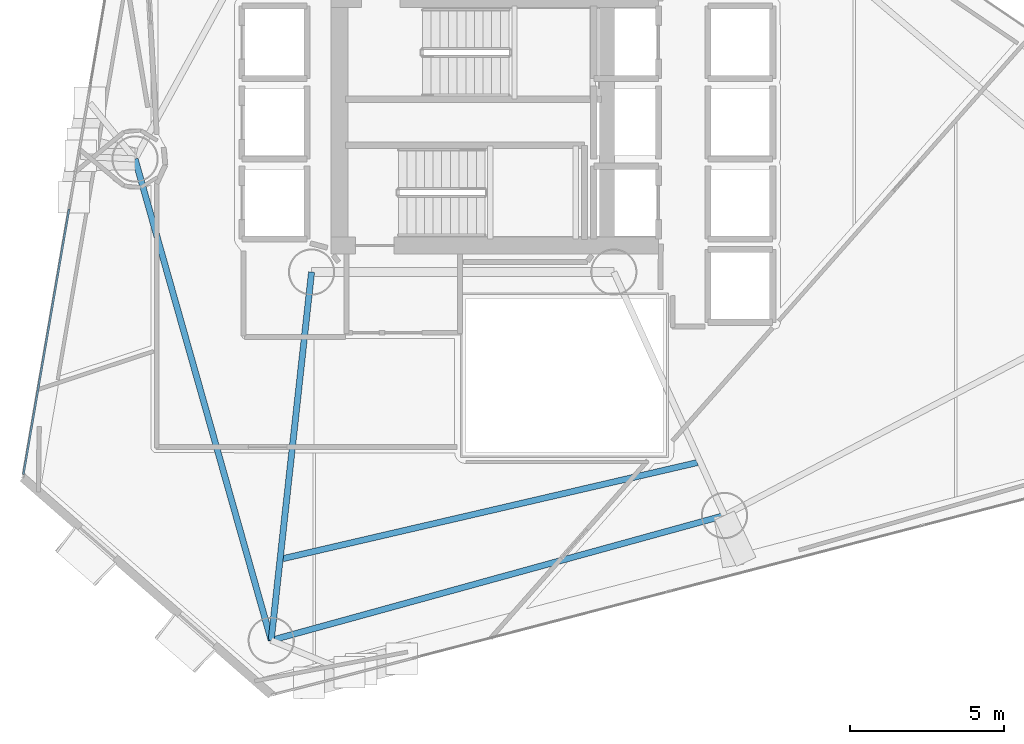
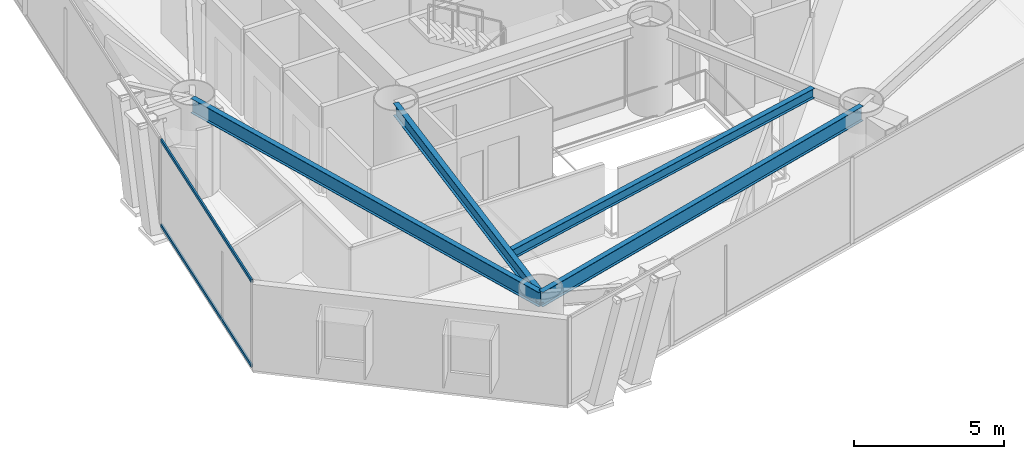
# One storey, part 3 of 21: 4 beams, 2 members, 1 element without a shape of its own.
"""IFC4 building model written with IfcOpenShell, lengths in metres."""

from ifc_helpers import new_model, si_unit, direction, frame, origin, origin_2d, place, context, subcontext, project, spatial, hollow_rectangle, i_section, extrude, material, layer, layer_set, material_profile, profile_set, type_object, element, aggregate, save


model = new_model("IFC4")

# Units and contexts
model_context = context("Model", 3, precision=1e-05, world=origin(), true_north=direction((0.0, 1.0)))
body_context = subcontext(model_context, "Body", "Model", "MODEL_VIEW")
ifc_project = project(units=[si_unit("LENGTHUNIT", "METRE"), si_unit("AREAUNIT", "SQUARE_METRE"), si_unit("VOLUMEUNIT", "CUBIC_METRE"), si_unit("PLANEANGLEUNIT", "RADIAN"), si_unit("MASSUNIT", "GRAM", prefix="KILO")], contexts=[model_context])

# Site, building, storey
site_placement = place(None, origin())
site = spatial("IfcSite", under=ifc_project, at=site_placement, CompositionType="ELEMENT")
building_placement = place(site_placement, origin())
building = spatial("IfcBuilding", under=site, at=building_placement, Name="Qianvela Tower", CompositionType="ELEMENT")
storey_placement = place(building_placement, frame((0.0, 0.0, 112.60009765625)))
storey = spatial("IfcBuildingStorey", under=building, at=storey_placement, Name="L28", CompositionType="ELEMENT", Elevation=112.60009765625)

# Beams
ifc_material_1 = material(Name="Steel Q355B", Category="steel")
ifc_material_profile_1 = material_profile(ifc_material_1, i_section(OverallWidth=0.199951171875, OverallDepth=0.39990234375, WebThickness=0.008056640625, FlangeThickness=0.012939453125, at=origin_2d()), Name="HN400x200x8x13")
ifc_profile_set_1 = profile_set([ifc_material_profile_1], Name="Steel Q355B")
beam_type_1 = type_object("IfcBeamType", Name="BM-HN400-JOIST", PredefinedType="JOIST", material=ifc_profile_set_1)
beam_1_placement = place(storey_placement, frame((27.67333984375, 14.5576171875, 3.31787109375), z_axis=(0.974157898668, 0.225868077567, 0.0), x_axis=(-0.225868077567, 0.974157898668, 0.0)))
element("IfcBeam", 1, at=beam_1_placement, inside=storey, type_object=beam_type_1, Name="L28 Secondary Composite Floor Joist 5.3", PredefinedType="JOIST", context=body_context, shape_type="SweptSolid", body=[
    extrude(i_section(OverallWidth=0.199951171875, OverallDepth=0.39990234375, WebThickness=0.008056640625, FlangeThickness=0.012939453125, at=origin_2d()), origin(), (0.0, 0.0, 1.0), 13.787841796875),
])
ifc_material_2 = material(Name="Steel Q355B", Category="steel")
ifc_material_profile_2 = material_profile(ifc_material_2, i_section(OverallWidth=0.199951171875, OverallDepth=0.5, WebThickness=0.010009765625, FlangeThickness=0.01611328125, at=origin_2d()), Name="HN500x200x10x16")
ifc_profile_set_2 = profile_set([ifc_material_profile_2], Name="Steel Q355B")
beam_type_2 = type_object("IfcBeamType", Name="BM-HN500-GIRD", PredefinedType="BEAM", material=ifc_profile_set_2)
beam_2_placement = place(storey_placement, frame((28.60009765625, 23.85009765625, 3.267822265625), z_axis=(-0.108894474914, -0.994053315136, 0.0), x_axis=(0.994053315136, -0.108894474914, 0.0)))
element("IfcBeam", 2, at=beam_2_placement, inside=storey, type_object=beam_type_2, Name="L28 Radial Primary Floor Girder 5", PredefinedType="BEAM", context=body_context, shape_type="SweptSolid", body=[
    extrude(i_section(OverallWidth=0.199951171875, OverallDepth=0.5, WebThickness=0.010009765625, FlangeThickness=0.01611328125, at=origin_2d()), origin(), (0.0, 0.0, 1.0), 12.0126953125),
])
ifc_material_3 = material(Name="Steel Q355B", Category="steel")
ifc_material_profile_3 = material_profile(ifc_material_3, i_section(OverallWidth=0.199951171875, OverallDepth=0.60009765625, WebThickness=0.010986328125, FlangeThickness=0.01708984375, at=origin_2d()), Name="HN600x200x11x17")
ifc_profile_set_3 = profile_set([ifc_material_profile_3], Name="Steel Q355B")
beam_type_3 = type_object("IfcBeamType", Name="BM-HN600-GIRD", PredefinedType="BEAM", material=ifc_profile_set_3)
beam_3_placement = place(storey_placement, frame((22.8779296875, 27.51611328125, 3.218017578125), z_axis=(0.272147602289, -0.962255518336, 0.0), x_axis=(0.962255518336, 0.272147602289, 0.0)))
element("IfcBeam", 3, at=beam_3_placement, inside=storey, type_object=beam_type_3, Name="L28 Perimeter Ring Spandrel Girder 4", PredefinedType="BEAM", context=body_context, shape_type="SweptSolid", body=[
    extrude(i_section(OverallWidth=0.199951171875, OverallDepth=0.60009765625, WebThickness=0.010986328125, FlangeThickness=0.01708984375, at=origin_2d()), origin(), (0.0, 0.0, 1.0), 16.219482421875),
])
beam_4_placement = place(storey_placement, frame((27.2919921875, 11.908935546875, 3.218017578125), z_axis=(0.964093212083, 0.265564075912, 0.0), x_axis=(-0.265564075912, 0.964093212083, 0.0)))
element("IfcBeam", 4, at=beam_4_placement, inside=storey, type_object=beam_type_3, Name="L28 Perimeter Ring Spandrel Girder 5", PredefinedType="BEAM", context=body_context, shape_type="SweptSolid", body=[
    extrude(i_section(OverallWidth=0.199951171875, OverallDepth=0.60009765625, WebThickness=0.010986328125, FlangeThickness=0.01708984375, at=origin_2d()), origin(), (0.0, 0.0, 1.0), 15.243408203125),
])

# Curtain wall, members
ifc_material_4 = material(Name="Anodised Architectural Aluminium and Low-E Glass", Category="aluminium")
ifc_layer = layer(ifc_material_4, 0.169921875)
ifc_layer_set = layer_set([ifc_layer], Name="Anodised Architectural Aluminium and Low-E Glass")
curtain_wall_type = type_object("IfcCurtainWallType", Name="CW-COLIV-Z34", PredefinedType="USERDEFINED", material=ifc_layer_set)
curtain_wall_placement = place(storey_placement, origin())
curtain_wall = element("IfcCurtainWall", 5, at=curtain_wall_placement, inside=storey, type_object=curtain_wall_type, Name="L28 CW-COLIV-Z34 Curtain Wall 04C", ObjectType="CURTAIN_WALL_SYSTEM", PredefinedType="USERDEFINED")
ifc_material_5 = material(Name="Anodised Architectural Aluminium 6063-T6", Category="aluminium")
ifc_material_profile_4 = material_profile(ifc_material_5, hollow_rectangle(XDim=0.06494140625, YDim=0.1298828125, WallThickness=0.00439453125, at=origin_2d()), Name="ALU-TRAN-65x130")
ifc_profile_set_4 = profile_set([ifc_material_profile_4], Name="Anodised Architectural Aluminium 6063-T6")
member_type = type_object("IfcMemberType", Name="CW-COLIV-Z34-TRAN", PredefinedType="USERDEFINED", material=ifc_profile_set_4)
member_1_placement = place(storey_placement, frame((20.739013671875, 25.893798828125, 0.032470703125), z_axis=(-0.169513478823, -0.98552786896, 0.0), x_axis=(0.98552786896, -0.169513478823, 0.0)))
member_1 = element("IfcMember", 6, at=member_1_placement, type_object=member_type, Name="CW-4 transom 1.1", ObjectType="TRANSOM", PredefinedType="USERDEFINED", context=body_context, shape_type="SweptSolid", body=[
    extrude(hollow_rectangle(XDim=0.06494140625, YDim=0.1298828125, WallThickness=0.00439453125, at=origin_2d()), origin(), (0.0, 0.0, 1.0), 8.727783203125),
])
member_2_placement = place(storey_placement, frame((20.739013671875, 25.893798828125, 3.4873046875), z_axis=(-0.169513478823, -0.98552786896, 0.0), x_axis=(0.98552786896, -0.169513478823, 0.0)))
member_2 = element("IfcMember", 7, at=member_2_placement, type_object=member_type, Name="CW-4 transom 1.2", ObjectType="TRANSOM", PredefinedType="USERDEFINED", context=body_context, shape_type="SweptSolid", body=[
    extrude(hollow_rectangle(XDim=0.06494140625, YDim=0.1298828125, WallThickness=0.00439453125, at=origin_2d()), origin(), (0.0, 0.0, 1.0), 8.727783203125),
])
aggregate(curtain_wall, [member_1, member_2])

save(model, "model.ifc")
